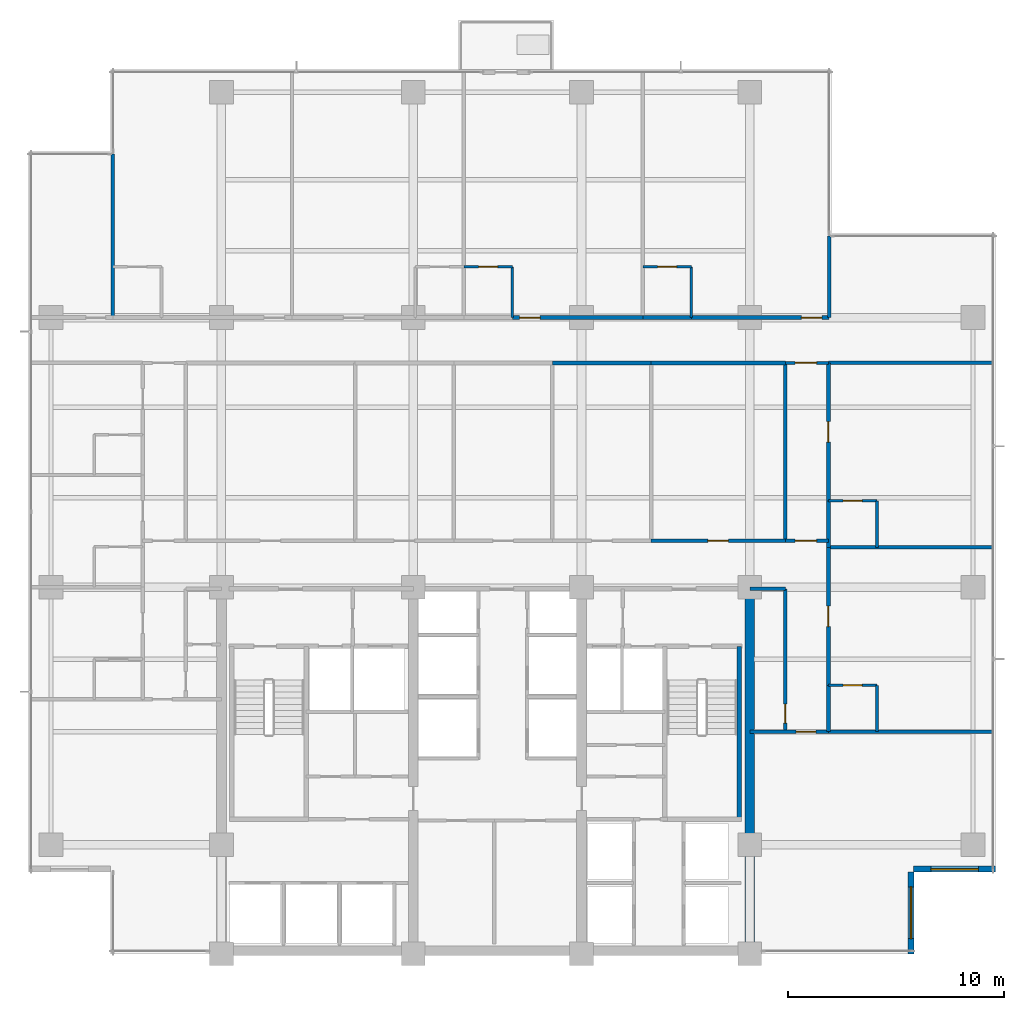
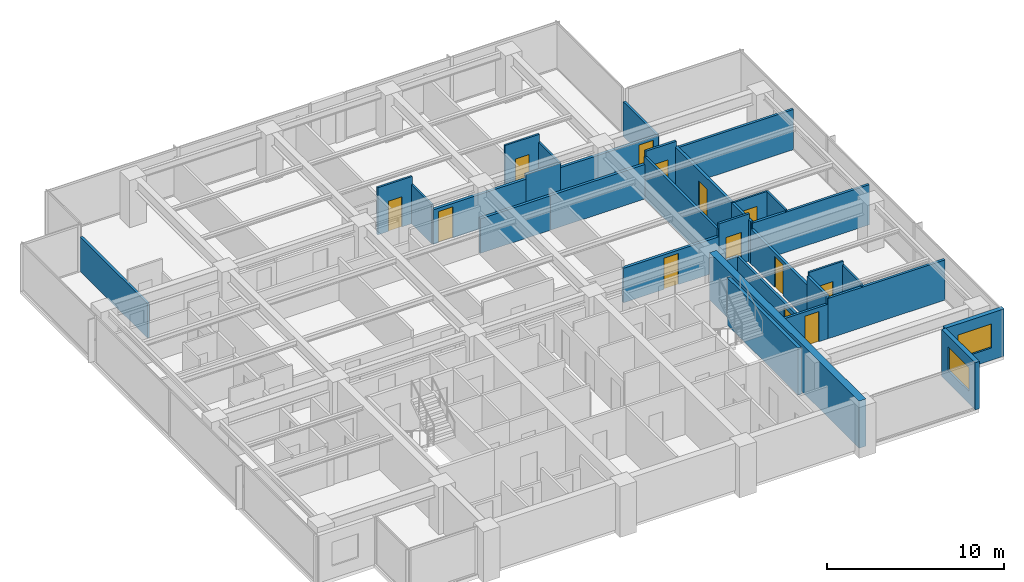
# One storey, part 10 of 16: 33 walls, 13 doors, 2 windows, 15 openings.
"""IFC4 building model written with IfcOpenShell, lengths in metres."""

from ifc_helpers import new_model, si_unit, direction, frame, frame_2d, origin, place, context, subcontext, project, spatial, rectangle, extrude, material, layer, layer_set, type_object, element, fill, save


model = new_model("IFC4")

# Units and contexts
model_context = context("Model", 3, precision=1e-05, world=origin(), true_north=direction((0.0, 1.0)))
body_context = subcontext(model_context, "Body", "Model", "MODEL_VIEW")
ifc_project = project(units=[si_unit("LENGTHUNIT", "METRE"), si_unit("AREAUNIT", "SQUARE_METRE"), si_unit("VOLUMEUNIT", "CUBIC_METRE"), si_unit("PLANEANGLEUNIT", "RADIAN"), si_unit("MASSUNIT", "GRAM", prefix="KILO")], contexts=[model_context])

# Site, building, storey
site_placement = place(None, origin())
site = spatial("IfcSite", under=ifc_project, at=site_placement, CompositionType="ELEMENT")
building_placement = place(site_placement, origin())
building = spatial("IfcBuilding", under=site, at=building_placement, Name="Qalmaran Belvedere Hotel", CompositionType="ELEMENT")
storey_placement = place(building_placement, frame((0.0, 0.0, 145.60009765625)))
storey = spatial("IfcBuildingStorey", under=building, at=storey_placement, Name="L36", CompositionType="ELEMENT", Elevation=145.60009765625)

# Wall
ifc_material_1 = material(Name="Concrete C50/60", Category="concrete")
ifc_layer_1 = layer(ifc_material_1, 0.449951171875, Name="Concrete C50/60")
ifc_layer_set_1 = layer_set([ifc_layer_1], Name="Concrete C50/60")
wall_type_1 = type_object("IfcWallType", Name="WL-CORE-450-C50", PredefinedType="SHEAR", material=ifc_layer_set_1)
wall_1_placement = place(storey_placement, frame((44.800048828125, 3.5, 0.0), z_axis=(0.0, 0.0, 1.0), x_axis=(0.0, 1.0, 0.0)))
element("IfcWall", 1, at=wall_1_placement, inside=storey, type_object=wall_type_1, Name="L36 East Core Shear Wall", PredefinedType="SHEAR", context=body_context, shape_type="SweptSolid", body=[
    extrude(rectangle(XDim=16.89990234375, YDim=0.449951171875, at=frame_2d((8.449951171875, 0.0))), origin(), (0.0, 0.0, 1.0), 3.25),
])

# Wall, opening, window
ifc_material_2 = material(Name="Anodised Bronze Cladding")
ifc_layer_2 = layer(ifc_material_2, 0.280029296875, Name="Anodised Bronze Cladding")
ifc_layer_set_2 = layer_set([ifc_layer_2], Name="Anodised Bronze Cladding")
wall_type_2 = type_object("IfcWallType", Name="WL-EXT-BRNZ-280", PredefinedType="SOLIDWALL", material=ifc_layer_set_2)
wall_2_placement = place(storey_placement, frame((52.280029296875, 3.5, 0.0), z_axis=(0.0, 0.0, 1.0), x_axis=(0.0, 1.0, 0.0)))
wall_2 = element("IfcWall", 2, at=wall_2_placement, inside=storey, type_object=wall_type_2, Name="L36 Corner Notch Wall 1", PredefinedType="SOLIDWALL", context=body_context, shape_type="SweptSolid", body=[
    extrude(rectangle(XDim=3.800048828125, YDim=0.280029296875, at=frame_2d((1.89990234375, 0.0))), origin(), (0.0, 0.0, 1.0), 3.25),
])
opening_1_placement = place(wall_2_placement, frame((0.699951171875, 0.0, 0.85009765625)))
opening_1 = element("IfcOpeningElement", 3, at=opening_1_placement, cuts=wall_2, Name="Opening W-N24", PredefinedType="OPENING", context=body_context, shape_type="SweptSolid", body=[
    extrude(rectangle(XDim=2.39990234375, YDim=1.64990234375, at=frame_2d((1.199951171875, 0.824951171875))), frame((0.0, 0.14990234375, 0.0), z_axis=(0.0, -1.0, 0.0), x_axis=(1.0, 0.0, 0.0)), (0.0, 0.0, 1.0), 0.300048828125),
])
ifc_material_3 = material(Name="Solar-Control Double Glazing", Category="glass")
window_type_1 = type_object("IfcWindowType", Name="WN-NTC-2400X1650", PartitioningType="SINGLE_PANEL", PredefinedType="WINDOW", material=ifc_material_3)
window_1_placement = place(opening_1_placement, origin())
window_1 = element("IfcWindow", 4, at=window_1_placement, inside=storey, type_object=window_type_1, Name="L36 Corner Notch Window 1", OverallHeight=1.64990234375, OverallWidth=2.39990234375, PartitioningType="SINGLE_PANEL", PredefinedType="WINDOW", context=body_context, shape_type="SweptSolid", body=[
    extrude(rectangle(XDim=2.39990234375, YDim=1.64990234375, at=frame_2d((1.199951171875, 0.824951171875))), frame((0.0, 0.030029296875, 0.0), z_axis=(0.0, -1.0, 0.0), x_axis=(1.0, 0.0, 0.0)), (0.0, 0.0, 1.0), 0.06005859375),
])
fill(opening_1, window_1)

wall_3_placement = place(storey_placement, frame((52.39990234375, 7.419921875, 0.0), z_axis=(0.0, 0.0, 1.0), x_axis=(1.0, 0.0, 0.0)))
wall_3 = element("IfcWall", 5, at=wall_3_placement, inside=storey, type_object=wall_type_2, Name="L36 Corner Notch Wall 2", PredefinedType="SOLIDWALL", context=body_context, shape_type="SweptSolid", body=[
    extrude(rectangle(XDim=3.800048828125, YDim=0.280029296875, at=frame_2d((1.89990234375, 0.0))), origin(), (0.0, 0.0, 1.0), 3.25),
])
opening_2_placement = place(wall_3_placement, frame((0.800048828125, 0.0, 0.85009765625)))
opening_2 = element("IfcOpeningElement", 6, at=opening_2_placement, cuts=wall_3, Name="Opening W-N22", PredefinedType="OPENING", context=body_context, shape_type="SweptSolid", body=[
    extrude(rectangle(XDim=2.199951171875, YDim=1.64990234375, at=frame_2d((1.10009765625, 0.824951171875))), frame((0.0, 0.14990234375, 0.0), z_axis=(0.0, -1.0, 0.0), x_axis=(1.0, 0.0, 0.0)), (0.0, 0.0, 1.0), 0.300048828125),
])
window_type_2 = type_object("IfcWindowType", Name="WN-NTC-2200X1650", PartitioningType="SINGLE_PANEL", PredefinedType="WINDOW", material=ifc_material_3)
window_2_placement = place(opening_2_placement, origin())
window_2 = element("IfcWindow", 7, at=window_2_placement, inside=storey, type_object=window_type_2, Name="L36 Corner Notch Window 2", OverallHeight=1.64990234375, OverallWidth=2.199951171875, PartitioningType="SINGLE_PANEL", PredefinedType="WINDOW", context=body_context, shape_type="SweptSolid", body=[
    extrude(rectangle(XDim=2.199951171875, YDim=1.64990234375, at=frame_2d((1.10009765625, 0.824951171875))), frame((0.0, 0.030029296875, 0.0), z_axis=(0.0, -1.0, 0.0), x_axis=(1.0, 0.0, 0.0)), (0.0, 0.0, 1.0), 0.06005859375),
])
fill(opening_2, window_2)

# Wall, opening, door
ifc_material_4 = material(Name="Moisture-Resistant Gypsum")
ifc_layer_3 = layer(ifc_material_4, 0.1201171875, Name="Moisture-Resistant Gypsum")
ifc_layer_set_3 = layer_set([ifc_layer_3], Name="Moisture-Resistant Gypsum")
wall_type_3 = type_object("IfcWallType", Name="WL-INT-120-BATH", PredefinedType="PARTITIONING", material=ifc_layer_set_3)
wall_4_placement = place(storey_placement, frame((31.54296875, 35.35009765625, 0.0), z_axis=(0.0, 0.0, 1.0), x_axis=(1.0, 0.0, 0.0)))
wall_4 = element("IfcWall", 8, at=wall_4_placement, inside=storey, type_object=wall_type_3, Name="L36 Partition WL-L36-NBN02", PredefinedType="PARTITIONING", context=body_context, shape_type="SweptSolid", body=[
    extrude(rectangle(XDim=2.25, YDim=0.1201171875, at=frame_2d((1.125, 0.0))), origin(), (0.0, 0.0, 1.0), 3.25),
])
opening_3_placement = place(wall_4_placement, frame((1.56494140625, 0.0, 0.0), z_axis=(0.0, 0.0, 1.0), x_axis=(-1.0, 0.0, 0.0)))
opening_3 = element("IfcOpeningElement", 9, at=opening_3_placement, cuts=wall_4, Name="Opening D-BATH", PredefinedType="OPENING", context=body_context, shape_type="SweptSolid", body=[
    extrude(rectangle(XDim=0.8798828125, YDim=2.080078125, at=frame_2d((0.43994140625, 1.0400390625))), frame((0.0, 0.070068359375, 0.0), z_axis=(0.0, -1.0, 0.0), x_axis=(1.0, 0.0, 0.0)), (0.0, 0.0, 1.0), 0.14013671875),
])
ifc_material_5 = material(Name="Engineered Oak Veneer")
door_type_1 = type_object("IfcDoorType", Name="DR-INT-BATH-880X2080", OperationType="NOTDEFINED", PredefinedType="DOOR", material=ifc_material_5)
door_1_placement = place(opening_3_placement, origin())
door_1 = element("IfcDoor", 10, at=door_1_placement, inside=storey, type_object=door_type_1, Name="L36 Ensuite Bathroom Door N03", OperationType="SINGLE_SWING_LEFT", OverallHeight=2.080078125, OverallWidth=0.8798828125, PredefinedType="DOOR", context=body_context, shape_type="SweptSolid", body=[
    extrude(rectangle(XDim=0.8798828125, YDim=2.080078125, at=frame_2d((0.43994140625, 1.0400390625))), frame((0.0, 0.02490234375, 0.0), z_axis=(0.0, -1.0, 0.0), x_axis=(1.0, 0.0, 0.0)), (0.0, 0.0, 1.0), 0.050048828125),
])
fill(opening_3, door_1)

# Wall
wall_5_placement = place(storey_placement, frame((33.79296875, 33.0, 0.0), z_axis=(0.0, 0.0, 1.0), x_axis=(0.0, 1.0, 0.0)))
element("IfcWall", 11, at=wall_5_placement, inside=storey, type_object=wall_type_3, Name="L36 Partition WL-L36-NBS02", PredefinedType="PARTITIONING", context=body_context, shape_type="SweptSolid", body=[
    extrude(rectangle(XDim=2.35009765625, YDim=0.1201171875, at=frame_2d((1.175048828125, 0.0))), origin(), (0.0, 0.0, 1.0), 2.69189453125),
])

# Wall, opening, door
wall_6_placement = place(storey_placement, frame((39.845458984375, 35.35009765625, 0.0), z_axis=(0.0, 0.0, 1.0), x_axis=(1.0, 0.0, 0.0)))
wall_6 = element("IfcWall", 12, at=wall_6_placement, inside=storey, type_object=wall_type_3, Name="L36 Partition WL-L36-NBN03", PredefinedType="PARTITIONING", context=body_context, shape_type="SweptSolid", body=[
    extrude(rectangle(XDim=2.25, YDim=0.1201171875, at=frame_2d((1.125, 0.0))), origin(), (0.0, 0.0, 1.0), 3.25),
])
opening_4_placement = place(wall_6_placement, frame((1.56494140625, 0.0, 0.0), z_axis=(0.0, 0.0, 1.0), x_axis=(-1.0, 0.0, 0.0)))
opening_4 = element("IfcOpeningElement", 13, at=opening_4_placement, cuts=wall_6, Name="Opening D-BATH", PredefinedType="OPENING", context=body_context, shape_type="SweptSolid", body=[
    extrude(rectangle(XDim=0.8798828125, YDim=2.080078125, at=frame_2d((0.43994140625, 1.0400390625))), frame((0.0, 0.070068359375, 0.0), z_axis=(0.0, -1.0, 0.0), x_axis=(1.0, 0.0, 0.0)), (0.0, 0.0, 1.0), 0.14013671875),
])
door_2_placement = place(opening_4_placement, origin())
door_2 = element("IfcDoor", 14, at=door_2_placement, inside=storey, type_object=door_type_1, Name="L36 Ensuite Bathroom Door N04", OperationType="SINGLE_SWING_LEFT", OverallHeight=2.080078125, OverallWidth=0.8798828125, PredefinedType="DOOR", context=body_context, shape_type="SweptSolid", body=[
    extrude(rectangle(XDim=0.8798828125, YDim=2.080078125, at=frame_2d((0.43994140625, 1.0400390625))), frame((0.0, 0.02490234375, 0.0), z_axis=(0.0, -1.0, 0.0), x_axis=(1.0, 0.0, 0.0)), (0.0, 0.0, 1.0), 0.050048828125),
])
fill(opening_4, door_2)

# Wall
wall_7_placement = place(storey_placement, frame((42.095458984375, 33.0, 0.0), z_axis=(0.0, 0.0, 1.0), x_axis=(0.0, 1.0, 0.0)))
element("IfcWall", 15, at=wall_7_placement, inside=storey, type_object=wall_type_3, Name="L36 Partition WL-L36-NBS03", PredefinedType="PARTITIONING", context=body_context, shape_type="SweptSolid", body=[
    extrude(rectangle(XDim=2.35009765625, YDim=0.1201171875, at=frame_2d((1.175048828125, 0.0))), origin(), (0.0, 0.0, 1.0), 2.69189453125),
])

# Wall, opening, door
wall_8_placement = place(storey_placement, frame((48.449951171875, 15.949951171875, 0.0), z_axis=(0.0, 0.0, 1.0), x_axis=(1.0, 0.0, 0.0)))
wall_8 = element("IfcWall", 16, at=wall_8_placement, inside=storey, type_object=wall_type_3, Name="L36 Partition WL-L36-EBN00", PredefinedType="PARTITIONING", context=body_context, shape_type="SweptSolid", body=[
    extrude(rectangle(XDim=2.25, YDim=0.1201171875, at=frame_2d((1.125, 0.0))), origin(), (0.0, 0.0, 1.0), 3.25),
])
opening_5_placement = place(wall_8_placement, frame((1.56494140625, 0.0, 0.0), z_axis=(0.0, 0.0, 1.0), x_axis=(-1.0, 0.0, 0.0)))
opening_5 = element("IfcOpeningElement", 17, at=opening_5_placement, cuts=wall_8, Name="Opening D-BATH", PredefinedType="OPENING", context=body_context, shape_type="SweptSolid", body=[
    extrude(rectangle(XDim=0.8798828125, YDim=2.080078125, at=frame_2d((0.43994140625, 1.0400390625))), frame((0.0, 0.070068359375, 0.0), z_axis=(0.0, -1.0, 0.0), x_axis=(1.0, 0.0, 0.0)), (0.0, 0.0, 1.0), 0.14013671875),
])
door_3_placement = place(opening_5_placement, origin())
door_3 = element("IfcDoor", 18, at=door_3_placement, inside=storey, type_object=door_type_1, Name="L36 E Ensuite Door 01", OperationType="SINGLE_SWING_LEFT", OverallHeight=2.080078125, OverallWidth=0.8798828125, PredefinedType="DOOR", context=body_context, shape_type="SweptSolid", body=[
    extrude(rectangle(XDim=0.8798828125, YDim=2.080078125, at=frame_2d((0.43994140625, 1.0400390625))), frame((0.0, 0.02490234375, 0.0), z_axis=(0.0, -1.0, 0.0), x_axis=(1.0, 0.0, 0.0)), (0.0, 0.0, 1.0), 0.050048828125),
])
fill(opening_5, door_3)

# Wall
wall_9_placement = place(storey_placement, frame((50.699951171875, 13.800048828125, 0.0), z_axis=(0.0, 0.0, 1.0), x_axis=(0.0, 1.0, 0.0)))
element("IfcWall", 19, at=wall_9_placement, inside=storey, type_object=wall_type_3, Name="L36 Partition WL-L36-EBS00", PredefinedType="PARTITIONING", context=body_context, shape_type="SweptSolid", body=[
    extrude(rectangle(XDim=2.14990234375, YDim=0.1201171875, at=frame_2d((1.074951171875, 0.0))), origin(), (0.0, 0.0, 1.0), 2.98779296875),
])

# Wall, opening, door
wall_10_placement = place(storey_placement, frame((48.449951171875, 24.5, 0.0), z_axis=(0.0, 0.0, 1.0), x_axis=(1.0, 0.0, 0.0)))
wall_10 = element("IfcWall", 20, at=wall_10_placement, inside=storey, type_object=wall_type_3, Name="L36 Partition WL-L36-EBN01", PredefinedType="PARTITIONING", context=body_context, shape_type="SweptSolid", body=[
    extrude(rectangle(XDim=2.25, YDim=0.1201171875, at=frame_2d((1.125, 0.0))), origin(), (0.0, 0.0, 1.0), 2.880859375),
])
opening_6_placement = place(wall_10_placement, frame((1.56494140625, 0.0, 0.0), z_axis=(0.0, 0.0, 1.0), x_axis=(-1.0, 0.0, 0.0)))
opening_6 = element("IfcOpeningElement", 21, at=opening_6_placement, cuts=wall_10, Name="Opening D-BATH", PredefinedType="OPENING", context=body_context, shape_type="SweptSolid", body=[
    extrude(rectangle(XDim=0.8798828125, YDim=2.080078125, at=frame_2d((0.43994140625, 1.0400390625))), frame((0.0, 0.070068359375, 0.0), z_axis=(0.0, -1.0, 0.0), x_axis=(1.0, 0.0, 0.0)), (0.0, 0.0, 1.0), 0.14013671875),
])
door_4_placement = place(opening_6_placement, origin())
door_4 = element("IfcDoor", 22, at=door_4_placement, inside=storey, type_object=door_type_1, Name="L36 E Ensuite Door 02", OperationType="SINGLE_SWING_LEFT", OverallHeight=2.080078125, OverallWidth=0.8798828125, PredefinedType="DOOR", context=body_context, shape_type="SweptSolid", body=[
    extrude(rectangle(XDim=0.8798828125, YDim=2.080078125, at=frame_2d((0.43994140625, 1.0400390625))), frame((0.0, 0.02490234375, 0.0), z_axis=(0.0, -1.0, 0.0), x_axis=(1.0, 0.0, 0.0)), (0.0, 0.0, 1.0), 0.050048828125),
])
fill(opening_6, door_4)

# Wall
wall_11_placement = place(storey_placement, frame((50.699951171875, 22.35009765625, 0.0), z_axis=(0.0, 0.0, 1.0), x_axis=(0.0, 1.0, 0.0)))
element("IfcWall", 23, at=wall_11_placement, inside=storey, type_object=wall_type_3, Name="L36 Partition WL-L36-EBS01", PredefinedType="PARTITIONING", context=body_context, shape_type="SweptSolid", body=[
    extrude(rectangle(XDim=2.14990234375, YDim=0.1201171875, at=frame_2d((1.074951171875, 0.0))), origin(), (0.0, 0.0, 1.0), 2.880859375),
])

# Wall, opening, door
ifc_material_6 = material(Name="Gypsum Stud Partition")
ifc_layer_4 = layer(ifc_material_6, 0.14990234375, Name="Gypsum Stud Partition")
ifc_layer_set_4 = layer_set([ifc_layer_4], Name="Gypsum Stud Partition")
wall_type_4 = type_object("IfcWallType", Name="WL-INT-150-EI60", PredefinedType="PARTITIONING", material=ifc_layer_set_4)
wall_12_placement = place(storey_placement, frame((46.449951171875, 22.64990234375, 0.0), z_axis=(0.0, 0.0, 1.0), x_axis=(1.0, 0.0, 0.0)))
wall_12 = element("IfcWall", 24, at=wall_12_placement, inside=storey, type_object=wall_type_4, Name="L36 Partition WL-L36-XCE1", PredefinedType="PARTITIONING", context=body_context, shape_type="SweptSolid", body=[
    extrude(rectangle(XDim=2.0, YDim=0.14990234375, at=frame_2d((1.0, 0.0))), origin(), (0.0, 0.0, 1.0), 3.25),
])
opening_7_placement = place(wall_12_placement, frame((0.449951171875, 0.0, 0.0)))
opening_7 = element("IfcOpeningElement", 25, at=opening_7_placement, cuts=wall_12, Name="Opening FD90B", PredefinedType="OPENING", context=body_context, shape_type="SweptSolid", body=[
    extrude(rectangle(XDim=1.0, YDim=2.14990234375, at=frame_2d((0.5, 1.074951171875))), frame((0.0, 0.0849609375, 0.0), z_axis=(0.0, -1.0, 0.0), x_axis=(1.0, 0.0, 0.0)), (0.0, 0.0, 1.0), 0.169921875),
])
ifc_material_7 = material(Name="Steel S355JR", Category="steel")
door_type_2 = type_object("IfcDoorType", Name="DR-FD90B-1000X2150", OperationType="NOTDEFINED", PredefinedType="DOOR", material=ifc_material_7)
door_5_placement = place(opening_7_placement, origin())
door_5 = element("IfcDoor", 26, at=door_5_placement, inside=storey, type_object=door_type_2, Name="L36 East Corridor Smoke Door S", OperationType="SINGLE_SWING_RIGHT", OverallHeight=2.14990234375, OverallWidth=1.0, PredefinedType="DOOR", context=body_context, shape_type="SweptSolid", body=[
    extrude(rectangle(XDim=1.0, YDim=2.14990234375, at=frame_2d((0.5, 1.074951171875))), frame((0.0, 0.02490234375, 0.0), z_axis=(0.0, -1.0, 0.0), x_axis=(1.0, 0.0, 0.0)), (0.0, 0.0, 1.0), 0.050048828125),
])
fill(opening_7, door_5)

wall_13_placement = place(storey_placement, frame((46.449951171875, 30.89990234375, 0.0), z_axis=(0.0, 0.0, 1.0), x_axis=(1.0, 0.0, 0.0)))
wall_13 = element("IfcWall", 27, at=wall_13_placement, inside=storey, type_object=wall_type_4, Name="L36 Partition WL-L36-XCE2", PredefinedType="PARTITIONING", context=body_context, shape_type="SweptSolid", body=[
    extrude(rectangle(XDim=2.0, YDim=0.14990234375, at=frame_2d((1.0, 0.0))), origin(), (0.0, 0.0, 1.0), 3.25),
])
opening_8_placement = place(wall_13_placement, frame((0.449951171875, 0.0, 0.0)))
opening_8 = element("IfcOpeningElement", 28, at=opening_8_placement, cuts=wall_13, Name="Opening FD90B", PredefinedType="OPENING", context=body_context, shape_type="SweptSolid", body=[
    extrude(rectangle(XDim=1.0, YDim=2.14990234375, at=frame_2d((0.5, 1.074951171875))), frame((0.0, 0.0849609375, 0.0), z_axis=(0.0, -1.0, 0.0), x_axis=(1.0, 0.0, 0.0)), (0.0, 0.0, 1.0), 0.169921875),
])
door_6_placement = place(opening_8_placement, origin())
door_6 = element("IfcDoor", 29, at=door_6_placement, inside=storey, type_object=door_type_2, Name="L36 East Corridor Smoke Door N", OperationType="SINGLE_SWING_LEFT", OverallHeight=2.14990234375, OverallWidth=1.0, PredefinedType="DOOR", context=body_context, shape_type="SweptSolid", body=[
    extrude(rectangle(XDim=1.0, YDim=2.14990234375, at=frame_2d((0.5, 1.074951171875))), frame((0.0, 0.02490234375, 0.0), z_axis=(0.0, -1.0, 0.0), x_axis=(1.0, 0.0, 0.0)), (0.0, 0.0, 1.0), 0.050048828125),
])
fill(opening_8, door_6)

ifc_layer_5 = layer(ifc_material_6, 0.159912109375, Name="Gypsum Stud Partition")
ifc_layer_set_5 = layer_set([ifc_layer_5], Name="Gypsum Stud Partition")
wall_type_5 = type_object("IfcWallType", Name="WL-INT-160-EI60", PredefinedType="PARTITIONING", material=ifc_layer_set_5)
wall_14_placement = place(storey_placement, frame((44.800048828125, 13.800048828125, 0.0), z_axis=(0.0, 0.0, 1.0), x_axis=(1.0, 0.0, 0.0)))
wall_14 = element("IfcWall", 30, at=wall_14_placement, inside=storey, type_object=wall_type_5, Name="L36 Partition WL-L36-SERL", PredefinedType="PARTITIONING", context=body_context, shape_type="SweptSolid", body=[
    extrude(rectangle(XDim=3.64990234375, YDim=0.159912109375, at=frame_2d((1.824951171875, 0.0))), origin(), (0.0, 0.0, 1.0), 2.3798828125),
])
opening_9_placement = place(wall_14_placement, frame((3.06982421875, 0.0, 0.0), z_axis=(0.0, 0.0, 1.0), x_axis=(-1.0, 0.0, 0.0)))
opening_9 = element("IfcOpeningElement", 31, at=opening_9_placement, cuts=wall_14, Name="Opening FD60S1", PredefinedType="OPENING", context=body_context, shape_type="SweptSolid", body=[
    extrude(rectangle(XDim=0.919921875, YDim=2.080078125, at=frame_2d((0.4599609375, 1.0400390625))), frame((0.0, 0.08984375, 0.0), z_axis=(0.0, -1.0, 0.0), x_axis=(1.0, 0.0, 0.0)), (0.0, 0.0, 1.0), 0.179931640625),
])
door_type_3 = type_object("IfcDoorType", Name="DR-FD60S-920X2080", OperationType="NOTDEFINED", PredefinedType="DOOR", material=ifc_material_5)
door_7_placement = place(opening_9_placement, origin())
door_7 = element("IfcDoor", 32, at=door_7_placement, inside=storey, type_object=door_type_3, Name="L36 SE Lounge Door", OperationType="SINGLE_SWING_LEFT", OverallHeight=2.080078125, OverallWidth=0.919921875, PredefinedType="DOOR", context=body_context, shape_type="SweptSolid", body=[
    extrude(rectangle(XDim=0.919921875, YDim=2.080078125, at=frame_2d((0.4599609375, 1.0400390625))), frame((0.0, 0.02490234375, 0.0), z_axis=(0.0, -1.0, 0.0), x_axis=(1.0, 0.0, 0.0)), (0.0, 0.0, 1.0), 0.050048828125),
])
fill(opening_9, door_7)

wall_15_placement = place(storey_placement, frame((46.449951171875, 13.800048828125, 0.0), z_axis=(0.0, 0.0, 1.0), x_axis=(0.0, 1.0, 0.0)))
wall_15 = element("IfcWall", 33, at=wall_15_placement, inside=storey, type_object=wall_type_5, Name="L36 Partition WL-L36-ECL", PredefinedType="PARTITIONING", context=body_context, shape_type="SweptSolid", body=[
    extrude(rectangle(XDim=6.619873046875, YDim=0.159912109375, at=frame_2d((3.31005859375, 0.0))), origin(), (0.0, 0.0, 1.0), 2.3798828125),
])
opening_10_placement = place(wall_15_placement, frame((0.39990234375, 0.0, 0.0)))
opening_10 = element("IfcOpeningElement", 34, at=opening_10_placement, cuts=wall_15, Name="Opening FD60B", PredefinedType="OPENING", context=body_context, shape_type="SweptSolid", body=[
    extrude(rectangle(XDim=0.8798828125, YDim=2.080078125, at=frame_2d((0.43994140625, 1.0400390625))), frame((0.0, 0.08984375, 0.0), z_axis=(0.0, -1.0, 0.0), x_axis=(1.0, 0.0, 0.0)), (0.0, 0.0, 1.0), 0.179931640625),
])
door_type_4 = type_object("IfcDoorType", Name="DR-FD60B-880X2080", OperationType="NOTDEFINED", PredefinedType="DOOR", material=ifc_material_7)
door_8_placement = place(opening_10_placement, origin())
door_8 = element("IfcDoor", 35, at=door_8_placement, inside=storey, type_object=door_type_4, Name="L36 East Closet Door", OperationType="SINGLE_SWING_LEFT", OverallHeight=2.080078125, OverallWidth=0.8798828125, PredefinedType="DOOR", context=body_context, shape_type="SweptSolid", body=[
    extrude(rectangle(XDim=0.8798828125, YDim=2.080078125, at=frame_2d((0.43994140625, 1.0400390625))), frame((0.0, 0.02490234375, 0.0), z_axis=(0.0, -1.0, 0.0), x_axis=(1.0, 0.0, 0.0)), (0.0, 0.0, 1.0), 0.050048828125),
])
fill(opening_10, door_8)

# Walls
wall_16_placement = place(storey_placement, frame((44.800048828125, 20.419921875, 0.0), z_axis=(0.0, 0.0, 1.0), x_axis=(1.0, 0.0, 0.0)))
element("IfcWall", 36, at=wall_16_placement, inside=storey, type_object=wall_type_5, Name="L36 Partition WL-L36-ECLN", PredefinedType="PARTITIONING", context=body_context, shape_type="SweptSolid", body=[
    extrude(rectangle(XDim=1.64990234375, YDim=0.159912109375, at=frame_2d((0.824951171875, 0.0))), origin(), (0.0, 0.0, 1.0), 2.3798828125),
])
wall_17_placement = place(storey_placement, frame((46.449951171875, 22.64990234375, 0.0), z_axis=(0.0, 0.0, 1.0), x_axis=(0.0, 1.0, 0.0)))
element("IfcWall", 37, at=wall_17_placement, inside=storey, type_object=wall_type_5, Name="L36 Partition WL-L36-MIDVR5", PredefinedType="PARTITIONING", context=body_context, shape_type="SweptSolid", body=[
    extrude(rectangle(XDim=8.25, YDim=0.159912109375, at=frame_2d((4.125, 0.0))), origin(), (0.0, 0.0, 1.0), 2.880859375),
])
wall_18_placement = place(storey_placement, frame((15.27001953125, 33.0, 0.0), z_axis=(0.0, 0.0, 1.0), x_axis=(0.0, 1.0, 0.0)))
element("IfcWall", 38, at=wall_18_placement, inside=storey, type_object=wall_type_5, Name="L36 Partition WL-L36-NUL", PredefinedType="PARTITIONING", context=body_context, shape_type="SweptSolid", body=[
    extrude(rectangle(XDim=7.580078125, YDim=0.159912109375, at=frame_2d((3.7900390625, 0.0))), origin(), (0.0, 0.0, 1.0), 2.3798828125),
])
wall_19_placement = place(storey_placement, frame((48.47998046875, 33.0, 0.0), z_axis=(0.0, 0.0, 1.0), x_axis=(0.0, 1.0, 0.0)))
element("IfcWall", 39, at=wall_19_placement, inside=storey, type_object=wall_type_5, Name="L36 Partition WL-L36-NUR03", PredefinedType="PARTITIONING", context=body_context, shape_type="SweptSolid", body=[
    extrude(rectangle(XDim=3.780029296875, YDim=0.159912109375, at=frame_2d((1.89013671875, 0.0))), origin(), (0.0, 0.0, 1.0), 2.3798828125),
])
for number, where, z_axis, x_axis, name in (
    (40, (48.449951171875, 13.800048828125, 0.0), (0.0, 0.0, 1.0), (1.0, 0.0, 0.0), "L36 Partition WL-L36-EBOT"),
    (41, (48.449951171875, 22.35009765625, 0.0), (0.0, 0.0, 1.0), (1.0, 0.0, 0.0), "L36 Partition WL-L36-EU00"),
    (42, (48.449951171875, 30.89990234375, 0.0), (0.0, 0.0, 1.0), (1.0, 0.0, 0.0), "L36 Partition WL-L36-EU01"),
):
    element("IfcWall", number, at=place(storey_placement, frame(where, z_axis=z_axis, x_axis=x_axis)), inside=storey, type_object=wall_type_5, Name=name, PredefinedType="PARTITIONING", context=body_context, shape_type="SweptSolid", body=[
        extrude(rectangle(XDim=7.630126953125, YDim=0.159912109375, at=frame_2d((3.81494140625, 0.0))), origin(), (0.0, 0.0, 1.0), 2.77197265625),
    ])
ifc_layer_6 = layer(ifc_material_6, 0.179931640625, Name="Gypsum Stud Partition")
ifc_layer_set_6 = layer_set([ifc_layer_6], Name="Gypsum Stud Partition")
wall_type_6 = type_object("IfcWallType", Name="WL-INT-180-EI60", PredefinedType="PARTITIONING", material=ifc_layer_set_6)
wall_20_placement = place(storey_placement, frame((35.64990234375, 30.89990234375, 0.0), z_axis=(0.0, 0.0, 1.0), x_axis=(1.0, 0.0, 0.0)))
element("IfcWall", 43, at=wall_20_placement, inside=storey, type_object=wall_type_6, Name="L36 Partition WL-L36-MIDO4", PredefinedType="PARTITIONING", context=body_context, shape_type="SweptSolid", body=[
    extrude(rectangle(XDim=4.5751953125, YDim=0.179931640625, at=frame_2d((2.28759765625, 0.0))), origin(), (0.0, 0.0, 1.0), 2.3798828125),
])

# Wall, opening, door
wall_21_placement = place(storey_placement, frame((40.22509765625, 22.64990234375, 0.0), z_axis=(0.0, 0.0, 1.0), x_axis=(1.0, 0.0, 0.0)))
wall_21 = element("IfcWall", 44, at=wall_21_placement, inside=storey, type_object=wall_type_6, Name="L36 Partition WL-L36-MIDD5", PredefinedType="PARTITIONING", context=body_context, shape_type="SweptSolid", body=[
    extrude(rectangle(XDim=6.224853515625, YDim=0.179931640625, at=frame_2d((3.1123046875, 0.0))), origin(), (0.0, 0.0, 1.0), 2.3798828125),
])
opening_11_placement = place(wall_21_placement, frame((2.637451171875, 0.0, 0.0)))
opening_11 = element("IfcOpeningElement", 45, at=opening_11_placement, cuts=wall_21, Name="Opening FD60", PredefinedType="OPENING", context=body_context, shape_type="SweptSolid", body=[
    extrude(rectangle(XDim=0.949951171875, YDim=2.14990234375, at=frame_2d((0.47509765625, 1.074951171875))), frame((0.0, 0.10009765625, 0.0), z_axis=(0.0, -1.0, 0.0), x_axis=(1.0, 0.0, 0.0)), (0.0, 0.0, 1.0), 0.199951171875),
])
door_type_5 = type_object("IfcDoorType", Name="DR-FD60-950X2150", OperationType="NOTDEFINED", PredefinedType="DOOR", material=ifc_material_5)
door_9_placement = place(opening_11_placement, origin())
door_9 = element("IfcDoor", 46, at=door_9_placement, inside=storey, type_object=door_type_5, Name="L36 Sunset Lounge Door", OperationType="SINGLE_SWING_RIGHT", OverallHeight=2.14990234375, OverallWidth=0.949951171875, PredefinedType="DOOR", context=body_context, shape_type="SweptSolid", body=[
    extrude(rectangle(XDim=0.949951171875, YDim=2.14990234375, at=frame_2d((0.47509765625, 1.074951171875))), frame((0.0, 0.02490234375, 0.0), z_axis=(0.0, -1.0, 0.0), x_axis=(1.0, 0.0, 0.0)), (0.0, 0.0, 1.0), 0.050048828125),
])
fill(opening_11, door_9)

# Wall
wall_22_placement = place(storey_placement, frame((40.22509765625, 30.89990234375, 0.0), z_axis=(0.0, 0.0, 1.0), x_axis=(1.0, 0.0, 0.0)))
element("IfcWall", 47, at=wall_22_placement, inside=storey, type_object=wall_type_6, Name="L36 Partition WL-L36-MIDO5", PredefinedType="PARTITIONING", context=body_context, shape_type="SweptSolid", body=[
    extrude(rectangle(XDim=6.224853515625, YDim=0.179931640625, at=frame_2d((3.1123046875, 0.0))), origin(), (0.0, 0.0, 1.0), 2.3798828125),
])

# Wall, opening, door
wall_23_placement = place(storey_placement, frame((33.79296875, 33.0, 0.0), z_axis=(0.0, 0.0, 1.0), x_axis=(1.0, 0.0, 0.0)))
wall_23 = element("IfcWall", 48, at=wall_23_placement, inside=storey, type_object=wall_type_6, Name="L36 Partition WL-L36-NEC02", PredefinedType="PARTITIONING", context=body_context, shape_type="SweptSolid", body=[
    extrude(rectangle(XDim=6.052490234375, YDim=0.179931640625, at=frame_2d((3.0263671875, 0.0))), origin(), (0.0, 0.0, 1.0), 2.3798828125),
])
opening_12_placement = place(wall_23_placement, frame((0.339599609375, 0.0, 0.0)))
opening_12 = element("IfcOpeningElement", 49, at=opening_12_placement, cuts=wall_23, Name="Opening FD60", PredefinedType="OPENING", context=body_context, shape_type="SweptSolid", body=[
    extrude(rectangle(XDim=0.949951171875, YDim=2.14990234375, at=frame_2d((0.47509765625, 1.074951171875))), frame((0.0, 0.10009765625, 0.0), z_axis=(0.0, -1.0, 0.0), x_axis=(1.0, 0.0, 0.0)), (0.0, 0.0, 1.0), 0.199951171875),
])
door_10_placement = place(opening_12_placement, origin())
door_10 = element("IfcDoor", 50, at=door_10_placement, inside=storey, type_object=door_type_5, Name="L36 Guest Entrance Door N03", OperationType="SINGLE_SWING_RIGHT", OverallHeight=2.14990234375, OverallWidth=0.949951171875, PredefinedType="DOOR", context=body_context, shape_type="SweptSolid", body=[
    extrude(rectangle(XDim=0.949951171875, YDim=2.14990234375, at=frame_2d((0.47509765625, 1.074951171875))), frame((0.0, 0.02490234375, 0.0), z_axis=(0.0, -1.0, 0.0), x_axis=(1.0, 0.0, 0.0)), (0.0, 0.0, 1.0), 0.050048828125),
])
fill(opening_12, door_10)

# Wall
wall_24_placement = place(storey_placement, frame((39.845458984375, 33.0, 0.0), z_axis=(0.0, 0.0, 1.0), x_axis=(1.0, 0.0, 0.0)))
element("IfcWall", 51, at=wall_24_placement, inside=storey, type_object=wall_type_6, Name="L36 Partition WL-L36-NBC03", PredefinedType="PARTITIONING", context=body_context, shape_type="SweptSolid", body=[
    extrude(rectangle(XDim=2.25, YDim=0.179931640625, at=frame_2d((1.125, 0.0))), origin(), (0.0, 0.0, 1.0), 2.69189453125),
])

# Wall, opening, door
wall_25_placement = place(storey_placement, frame((42.095458984375, 33.0, 0.0), z_axis=(0.0, 0.0, 1.0), x_axis=(1.0, 0.0, 0.0)))
wall_25 = element("IfcWall", 52, at=wall_25_placement, inside=storey, type_object=wall_type_6, Name="L36 Partition WL-L36-NEC03", PredefinedType="PARTITIONING", context=body_context, shape_type="SweptSolid", body=[
    extrude(rectangle(XDim=6.384521484375, YDim=0.179931640625, at=frame_2d((3.1923828125, 0.0))), origin(), (0.0, 0.0, 1.0), 2.3798828125),
])
opening_13_placement = place(wall_25_placement, frame((5.095703125, 0.0, 0.0)))
opening_13 = element("IfcOpeningElement", 53, at=opening_13_placement, cuts=wall_25, Name="Opening FD60", PredefinedType="OPENING", context=body_context, shape_type="SweptSolid", body=[
    extrude(rectangle(XDim=0.949951171875, YDim=2.14990234375, at=frame_2d((0.47509765625, 1.074951171875))), frame((0.0, 0.10009765625, 0.0), z_axis=(0.0, -1.0, 0.0), x_axis=(1.0, 0.0, 0.0)), (0.0, 0.0, 1.0), 0.199951171875),
])
door_11_placement = place(opening_13_placement, origin())
door_11 = element("IfcDoor", 54, at=door_11_placement, inside=storey, type_object=door_type_5, Name="L36 Guest Entrance Door N04", OperationType="SINGLE_SWING_RIGHT", OverallHeight=2.14990234375, OverallWidth=0.949951171875, PredefinedType="DOOR", context=body_context, shape_type="SweptSolid", body=[
    extrude(rectangle(XDim=0.949951171875, YDim=2.14990234375, at=frame_2d((0.47509765625, 1.074951171875))), frame((0.0, 0.02490234375, 0.0), z_axis=(0.0, -1.0, 0.0), x_axis=(1.0, 0.0, 0.0)), (0.0, 0.0, 1.0), 0.050048828125),
])
fill(opening_13, door_11)

# Wall
wall_26_placement = place(storey_placement, frame((48.449951171875, 13.800048828125, 0.0), z_axis=(0.0, 0.0, 1.0), x_axis=(0.0, 1.0, 0.0)))
element("IfcWall", 55, at=wall_26_placement, inside=storey, type_object=wall_type_6, Name="L36 Partition WL-L36-EBC00", PredefinedType="PARTITIONING", context=body_context, shape_type="SweptSolid", body=[
    extrude(rectangle(XDim=2.14990234375, YDim=0.179931640625, at=frame_2d((1.074951171875, 0.0))), origin(), (0.0, 0.0, 1.0), 2.98779296875),
])

# Wall, opening, door
wall_27_placement = place(storey_placement, frame((48.449951171875, 15.949951171875, 0.0), z_axis=(0.0, 0.0, 1.0), x_axis=(0.0, 1.0, 0.0)))
wall_27 = element("IfcWall", 56, at=wall_27_placement, inside=storey, type_object=wall_type_6, Name="L36 Partition WL-L36-EEC00", PredefinedType="PARTITIONING", context=body_context, shape_type="SweptSolid", body=[
    extrude(rectangle(XDim=6.400146484375, YDim=0.179931640625, at=frame_2d((3.2001953125, 0.0))), origin(), (0.0, 0.0, 1.0), 2.3798828125),
])
opening_14_placement = place(wall_27_placement, frame((3.675048828125, 0.0, 0.0), z_axis=(0.0, 0.0, 1.0), x_axis=(-1.0, 0.0, 0.0)))
opening_14 = element("IfcOpeningElement", 57, at=opening_14_placement, cuts=wall_27, Name="Opening FD60", PredefinedType="OPENING", context=body_context, shape_type="SweptSolid", body=[
    extrude(rectangle(XDim=0.949951171875, YDim=2.14990234375, at=frame_2d((0.47509765625, 1.074951171875))), frame((0.0, 0.10009765625, 0.0), z_axis=(0.0, -1.0, 0.0), x_axis=(1.0, 0.0, 0.0)), (0.0, 0.0, 1.0), 0.199951171875),
])
door_12_placement = place(opening_14_placement, origin())
door_12 = element("IfcDoor", 58, at=door_12_placement, inside=storey, type_object=door_type_5, Name="L36 E Wing Door 01", OperationType="SINGLE_SWING_RIGHT", OverallHeight=2.14990234375, OverallWidth=0.949951171875, PredefinedType="DOOR", context=body_context, shape_type="SweptSolid", body=[
    extrude(rectangle(XDim=0.949951171875, YDim=2.14990234375, at=frame_2d((0.47509765625, 1.074951171875))), frame((0.0, 0.02490234375, 0.0), z_axis=(0.0, -1.0, 0.0), x_axis=(1.0, 0.0, 0.0)), (0.0, 0.0, 1.0), 0.050048828125),
])
fill(opening_14, door_12)

# Wall
wall_28_placement = place(storey_placement, frame((48.449951171875, 22.35009765625, 0.0), z_axis=(0.0, 0.0, 1.0), x_axis=(0.0, 1.0, 0.0)))
element("IfcWall", 59, at=wall_28_placement, inside=storey, type_object=wall_type_6, Name="L36 Partition WL-L36-EBC01", PredefinedType="PARTITIONING", context=body_context, shape_type="SweptSolid", body=[
    extrude(rectangle(XDim=2.14990234375, YDim=0.179931640625, at=frame_2d((1.074951171875, 0.0))), origin(), (0.0, 0.0, 1.0), 2.880859375),
])

# Wall, opening, door
wall_29_placement = place(storey_placement, frame((48.449951171875, 24.5, 0.0), z_axis=(0.0, 0.0, 1.0), x_axis=(0.0, 1.0, 0.0)))
wall_29 = element("IfcWall", 60, at=wall_29_placement, inside=storey, type_object=wall_type_6, Name="L36 Partition WL-L36-EEC01", PredefinedType="PARTITIONING", context=body_context, shape_type="SweptSolid", body=[
    extrude(rectangle(XDim=6.39990234375, YDim=0.179931640625, at=frame_2d((3.199951171875, 0.0))), origin(), (0.0, 0.0, 1.0), 2.880859375),
])
opening_15_placement = place(wall_29_placement, frame((3.675048828125, 0.0, 0.0), z_axis=(0.0, 0.0, 1.0), x_axis=(-1.0, 0.0, 0.0)))
opening_15 = element("IfcOpeningElement", 61, at=opening_15_placement, cuts=wall_29, Name="Opening FD60", PredefinedType="OPENING", context=body_context, shape_type="SweptSolid", body=[
    extrude(rectangle(XDim=0.949951171875, YDim=2.14990234375, at=frame_2d((0.47509765625, 1.074951171875))), frame((0.0, 0.10009765625, 0.0), z_axis=(0.0, -1.0, 0.0), x_axis=(1.0, 0.0, 0.0)), (0.0, 0.0, 1.0), 0.199951171875),
])
door_13_placement = place(opening_15_placement, origin())
door_13 = element("IfcDoor", 62, at=door_13_placement, inside=storey, type_object=door_type_5, Name="L36 E Wing Door 02", OperationType="SINGLE_SWING_RIGHT", OverallHeight=2.14990234375, OverallWidth=0.949951171875, PredefinedType="DOOR", context=body_context, shape_type="SweptSolid", body=[
    extrude(rectangle(XDim=0.949951171875, YDim=2.14990234375, at=frame_2d((0.47509765625, 1.074951171875))), frame((0.0, 0.02490234375, 0.0), z_axis=(0.0, -1.0, 0.0), x_axis=(1.0, 0.0, 0.0)), (0.0, 0.0, 1.0), 0.050048828125),
])
fill(opening_15, door_13)

# Wall
ifc_layer_7 = layer(ifc_material_1, 0.2099609375, Name="Concrete C50/60")
ifc_layer_set_7 = layer_set([ifc_layer_7], Name="Concrete C50/60")
wall_type_7 = type_object("IfcWallType", Name="WL-STAIR-210-C50", PredefinedType="SHEAR", material=ifc_layer_set_7)
wall_30_placement = place(storey_placement, frame((44.304931640625, 9.7451171875, 0.0), z_axis=(0.0, 0.0, 1.0), x_axis=(0.0, 1.0, 0.0)))
element("IfcWall", 63, at=wall_30_placement, inside=storey, type_object=wall_type_7, Name="L36 Stair ST-2 East Bearing Wall", PredefinedType="SHEAR", context=body_context, shape_type="SweptSolid", body=[
    extrude(rectangle(XDim=8.009765625, YDim=0.2099609375, at=frame_2d((4.0048828125, 0.0))), origin(), (0.0, 0.0, 1.0), 3.25),
])

save(model, "model.ifc")
